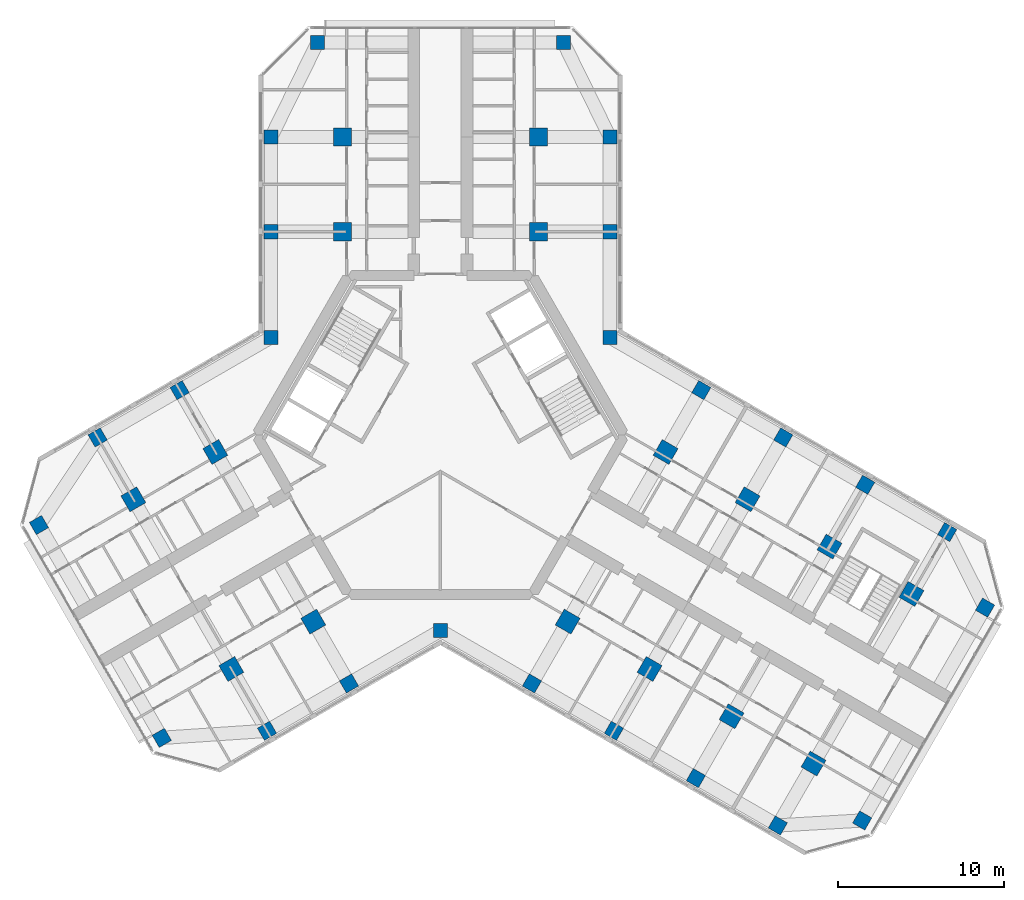
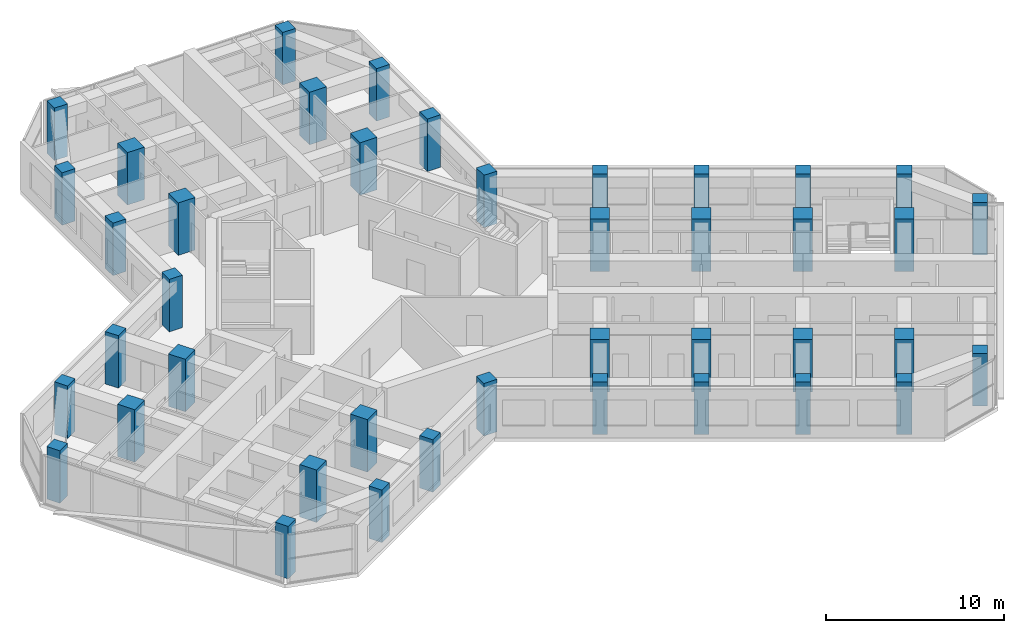
# One storey, part 1 of 16: 41 columns.
"""IFC4 building model written with IfcOpenShell, lengths in metres."""

from ifc_helpers import new_model, si_unit, direction, frame, origin, origin_2d, place, context, subcontext, project, spatial, rectangle, extrude, material, material_profile, profile_set, type_object, element, save


model = new_model("IFC4")

# Units and contexts
model_context = context("Model", 3, precision=1e-05, world=origin(), true_north=direction((0.0, 1.0)))
body_context = subcontext(model_context, "Body", "Model", "MODEL_VIEW")
ifc_project = project(units=[si_unit("LENGTHUNIT", "METRE"), si_unit("AREAUNIT", "SQUARE_METRE"), si_unit("VOLUMEUNIT", "CUBIC_METRE"), si_unit("PLANEANGLEUNIT", "RADIAN"), si_unit("MASSUNIT", "GRAM", prefix="KILO")], contexts=[model_context])

# Site, building, storey
site_placement = place(None, origin())
site = spatial("IfcSite", under=ifc_project, at=site_placement, CompositionType="ELEMENT")
building_placement = place(site_placement, origin())
building = spatial("IfcBuilding", under=site, at=building_placement, Name="Kosmar Iwan School Tower", CompositionType="ELEMENT")
storey_placement = place(building_placement, frame((0.0, 0.0, 238.800048828125)))
storey = spatial("IfcBuildingStorey", under=building, at=storey_placement, Name="L60", CompositionType="ELEMENT", Elevation=238.800048828125)

# Columns
ifc_material_1 = material(Name="Concrete C50/60", Category="concrete")
ifc_material_profile_1 = material_profile(ifc_material_1, rectangle(XDim=0.85009765625, YDim=0.85009765625, at=origin_2d()), Name="RC 850x850 + HD 400x347")
ifc_profile_set_1 = profile_set([ifc_material_profile_1], Name="Concrete C50/60")
column_type_1 = type_object("IfcColumnType", Name="Composite column 850x850 HD 400x347", PredefinedType="COLUMN", material=ifc_profile_set_1)
for number, where, z_axis, x_axis, name in (
    (1, (-10.199951171875, 12.25, 0.0), (0.0, 0.0, 1.0), (0.0, 1.0, 0.0), "Column AL1 L60"),
    (2, (-10.199951171875, 17.949951171875, 0.0), (0.0, 0.0, 1.0), (0.0, 1.0, 0.0), "Column AL2 L60"),
    (3, (-7.39990234375, 23.64990234375, 0.0), (0.0, 0.0, 1.0), (0.0, 1.0, 0.0), "Column ALTIP L60"),
    (4, (10.199951171875, 12.25, 0.0), (0.0, 0.0, 1.0), (0.0, 1.0, 0.0), "Column AR1 L60"),
    (5, (10.199951171875, 17.949951171875, 0.0), (0.0, 0.0, 1.0), (0.0, 1.0, 0.0), "Column AR2 L60"),
    (6, (7.39990234375, 23.64990234375, 0.0), (0.0, 0.0, 1.0), (0.0, 1.0, 0.0), "Column ARTIP L60"),
    (7, (-5.5087890625, -14.95849609375, 0.0), (0.0, 0.0, 1.0), (-0.866025403784, -0.5, 0.0), "Column BL1 L60"),
    (8, (-10.445068359375, -17.808349609375, 0.0), (0.0, 0.0, 1.0), (-0.866025403784, -0.5, 0.0), "Column BL2 L60"),
    (9, (-16.781494140625, -18.233642578125, 0.0), (0.0, 0.0, 1.0), (-0.866025403784, -0.5, 0.0), "Column BLTIP L60"),
    (10, (-15.708740234375, 2.70849609375, 0.0), (0.0, 0.0, 1.0), (-0.866025403784, -0.5, 0.0), "Column BR1 L60"),
    (11, (-20.645263671875, -0.1416015625, 0.0), (0.0, 0.0, 1.0), (-0.866025403784, -0.5, 0.0), "Column BR2 L60"),
    (12, (-24.181396484375, -5.41650390625, 0.0), (0.0, 0.0, 1.0), (-0.866025403784, -0.5, 0.0), "Column BRTIP L60"),
    (13, (15.708740234375, 2.70849609375, 0.0), (0.0, 0.0, 1.0), (0.866025403784, -0.5, 0.0), "Column CL1 L60"),
    (14, (20.645263671875, -0.1416015625, 0.0), (0.0, 0.0, 1.0), (0.866025403784, -0.5, 0.0), "Column CL2 L60"),
    (15, (25.58154296875, -2.991455078125, 0.0), (0.0, 0.0, 1.0), (0.866025403784, -0.5, 0.0), "Column CL3 L60"),
    (16, (30.517822265625, -5.841552734375, 0.0), (0.0, 0.0, 1.0), (0.866025403784, -0.5, 0.0), "Column CL4 L60"),
    (17, (32.79833984375, -10.391357421875, 0.0), (0.0, 0.0, 1.0), (0.866025403784, -0.5, 0.0), "Column CLTIP L60"),
    (18, (5.5087890625, -14.95849609375, 0.0), (0.0, 0.0, 1.0), (0.866025403784, -0.5, 0.0), "Column CR1 L60"),
    (19, (10.445068359375, -17.808349609375, 0.0), (0.0, 0.0, 1.0), (0.866025403784, -0.5, 0.0), "Column CR2 L60"),
    (20, (15.381591796875, -20.658447265625, 0.0), (0.0, 0.0, 1.0), (0.866025403784, -0.5, 0.0), "Column CR3 L60"),
    (21, (20.31787109375, -23.508544921875, 0.0), (0.0, 0.0, 1.0), (0.866025403784, -0.5, 0.0), "Column CR4 L60"),
    (22, (25.3984375, -23.20849609375, 0.0), (0.0, 0.0, 1.0), (0.866025403784, -0.5, 0.0), "Column CRTIP L60"),
    (23, (-10.199951171875, 5.888916015625, 0.0), (0.0, 0.0, 1.0), (1.0, 0.0, 0.0), "Column RAB L60"),
    (24, (10.199951171875, 5.888916015625, 0.0), (0.0, 0.0, 1.0), (1.0, 0.0, 0.0), "Column RAC L60"),
    (25, (0.0, -11.77783203125, 0.0), (0.0, 0.0, 1.0), (1.0, 0.0, 0.0), "Column RBC L60"),
):
    element("IfcColumn", number, at=place(storey_placement, frame(where, z_axis=z_axis, x_axis=x_axis)), inside=storey, type_object=column_type_1, Name=name, PredefinedType="COLUMN", context=body_context, shape_type="SweptSolid", body=[
        extrude(rectangle(XDim=0.85009765625, YDim=0.85009765625, at=origin_2d()), origin(), (0.0, 0.0, 1.0), 3.599853515625),
    ])
ifc_material_2 = material(Name="Concrete C50/60", Category="concrete")
ifc_material_profile_2 = material_profile(ifc_material_2, rectangle(XDim=1.10009765625, YDim=1.10009765625, at=origin_2d()), Name="RC 1100x1100")
ifc_profile_set_2 = profile_set([ifc_material_profile_2], Name="Concrete C50/60")
column_type_2 = type_object("IfcColumnType", Name="RC interior column 1100x1100", PredefinedType="COLUMN", material=ifc_profile_set_2)
for number, where, z_axis, x_axis, name in (
    (26, (-5.89990234375, 12.25, 0.0), (0.0, 0.0, 1.0), (0.0, 1.0, 0.0), "Interior column ALI1 L60"),
    (27, (-5.89990234375, 17.949951171875, 0.0), (0.0, 0.0, 1.0), (0.0, 1.0, 0.0), "Interior column ALI2 L60"),
    (28, (5.89990234375, 12.25, 0.0), (0.0, 0.0, 1.0), (0.0, 1.0, 0.0), "Interior column ARI1 L60"),
    (29, (5.89990234375, 17.949951171875, 0.0), (0.0, 0.0, 1.0), (0.0, 1.0, 0.0), "Interior column ARI2 L60"),
    (30, (-7.65869140625, -11.234619140625, 0.0), (0.0, 0.0, 1.0), (-0.866025403784, -0.5, 0.0), "Interior column BLI1 L60"),
    (31, (-12.59521484375, -14.08447265625, 0.0), (0.0, 0.0, 1.0), (-0.866025403784, -0.5, 0.0), "Interior column BLI2 L60"),
    (32, (-13.558837890625, -1.015380859375, 0.0), (0.0, 0.0, 1.0), (-0.866025403784, -0.5, 0.0), "Interior column BRI1 L60"),
    (33, (-18.4951171875, -3.865478515625, 0.0), (0.0, 0.0, 1.0), (-0.866025403784, -0.5, 0.0), "Interior column BRI2 L60"),
    (34, (13.558837890625, -1.015380859375, 0.0), (0.0, 0.0, 1.0), (0.866025403784, -0.5, 0.0), "Interior column CLI1 L60"),
    (35, (18.4951171875, -3.865478515625, 0.0), (0.0, 0.0, 1.0), (0.866025403784, -0.5, 0.0), "Interior column CLI2 L60"),
    (36, (23.431396484375, -6.71533203125, 0.0), (0.0, 0.0, 1.0), (0.866025403784, -0.5, 0.0), "Interior column CLI3 L60"),
    (37, (28.367919921875, -9.5654296875, 0.0), (0.0, 0.0, 1.0), (0.866025403784, -0.5, 0.0), "Interior column CLI4 L60"),
    (38, (7.65869140625, -11.234619140625, 0.0), (0.0, 0.0, 1.0), (0.866025403784, -0.5, 0.0), "Interior column CRI1 L60"),
    (39, (12.59521484375, -14.08447265625, 0.0), (0.0, 0.0, 1.0), (0.866025403784, -0.5, 0.0), "Interior column CRI2 L60"),
    (40, (17.531494140625, -16.9345703125, 0.0), (0.0, 0.0, 1.0), (0.866025403784, -0.5, 0.0), "Interior column CRI3 L60"),
    (41, (22.4677734375, -19.78466796875, 0.0), (0.0, 0.0, 1.0), (0.866025403784, -0.5, 0.0), "Interior column CRI4 L60"),
):
    element("IfcColumn", number, at=place(storey_placement, frame(where, z_axis=z_axis, x_axis=x_axis)), inside=storey, type_object=column_type_2, Name=name, PredefinedType="COLUMN", context=body_context, shape_type="SweptSolid", body=[
        extrude(rectangle(XDim=1.10009765625, YDim=1.10009765625, at=origin_2d()), origin(), (0.0, 0.0, 1.0), 3.599853515625),
    ])

save(model, "model.ifc")
